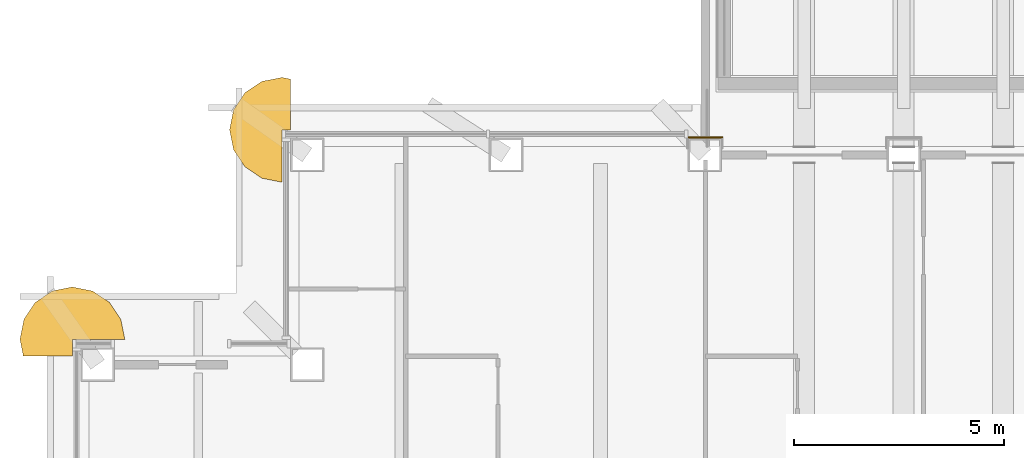
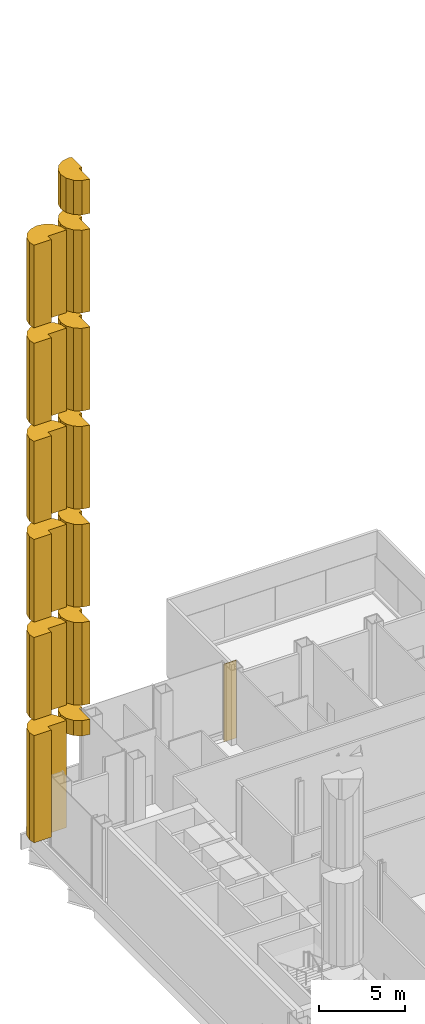
# One storey, part 19 of 22: 14 coverings.
"""IFC4 building model written with IfcOpenShell, lengths in metres."""

from ifc_helpers import new_model, si_unit, direction, frame, origin, origin_2d, place, context, subcontext, project, spatial, polyline, rectangle, outline, extrude, material, layer, layer_set, type_object, element, save


model = new_model("IFC4")

# Units and contexts
model_context = context("Model", 3, precision=1e-05, world=origin(), true_north=direction((0.0, 1.0)))
body_context = subcontext(model_context, "Body", "Model", "MODEL_VIEW")
ifc_project = project(units=[si_unit("LENGTHUNIT", "METRE"), si_unit("AREAUNIT", "SQUARE_METRE"), si_unit("VOLUMEUNIT", "CUBIC_METRE"), si_unit("PLANEANGLEUNIT", "RADIAN"), si_unit("MASSUNIT", "GRAM", prefix="KILO")], contexts=[model_context])

# Site, building, storey
site_placement = place(None, origin())
site = spatial("IfcSite", under=ifc_project, at=site_placement, CompositionType="ELEMENT")
building_placement = place(site_placement, origin())
building = spatial("IfcBuilding", under=site, at=building_placement, Name="Cobrizo Arcos Hotel Tower", CompositionType="ELEMENT")
storey_placement = place(building_placement, frame((0.0, 0.0, 142.5)))
storey = spatial("IfcBuildingStorey", under=building, at=storey_placement, Name="L36", CompositionType="ELEMENT", Elevation=142.5)

# Coverings
ifc_material = material(Name="Aluminium 6063-T6 anodised pale", Category="aluminium")
ifc_layer = layer(ifc_material, 0.030029296875)
ifc_layer_set = layer_set([ifc_layer], Name="PC-1 column casing pale metal 30")
covering_type_1 = type_object("IfcCoveringType", Name="PC-1 column casing pale metal 30", PredefinedType="CLADDING", material=ifc_layer_set)
covering_1_placement = place(storey_placement, frame((-7.114013671875, 22.014892578125, -0.2001953125), z_axis=(0.0, 0.0, 1.0), x_axis=(1.0, 0.0, 0.0)))
element("IfcCovering", 1, at=covering_1_placement, inside=storey, type_object=covering_type_1, Name="Pool hall column casing 1", PredefinedType="CLADDING", context=body_context, shape_type="SweptSolid", body=[
    extrude(rectangle(XDim=0.860107421875, YDim=0.030029296875, at=origin_2d()), origin(), (0.0, 0.0, 1.0), 5.550048828125),
])
covering_type_2 = type_object("IfcCoveringType", Name="RB-2 notch bullnose roll R1250", PredefinedType="CLADDING", material=ifc_material)
covering_2_placement = place(storey_placement, frame((0.0, 0.0, 4.362548828125)))
element("IfcCovering", 2, at=covering_2_placement, inside=storey, type_object=covering_type_2, Name="Notch bullnose roll 18", PredefinedType="CLADDING", context=body_context, shape_type="SweptSolid", body=[
    extrude(outline(polyline([(-18.083984375, 21.316162109375), (-17.678466796875, 21.045166015625), (-17.199951171875, 20.949951171875), (-17.199951171875, 22.199951171875), (-17.0, 22.199951171875), (-17.0, 23.41015625), (-17.199951171875, 23.449951171875), (-17.678466796875, 23.354736328125), (-18.083984375, 23.083984375), (-18.354736328125, 22.678466796875), (-18.449951171875, 22.199951171875), (-18.354736328125, 21.7216796875), (-18.083984375, 21.316162109375)])), origin(), (0.0, 0.0, 1.0), 1.08740234375),
])
for number, where, name in (
    (3, (0.0, 0.0, 6.550048828125), "Notch bullnose roll 18 part 2"),
    (4, (0.0, 0.0, 13.550048828125), "Notch bullnose roll 18 part 3"),
    (5, (0.0, 0.0, 20.550048828125), "Notch bullnose roll 18 part 4"),
    (6, (0.0, 0.0, 27.550048828125), "Notch bullnose roll 18 part 5"),
    (7, (0.0, 0.0, 34.550048828125), "Notch bullnose roll 18 part 6"),
):
    element("IfcCovering", number, at=place(storey_placement, frame(where)), inside=storey, type_object=covering_type_2, Name=name, PredefinedType="CLADDING", context=body_context, shape_type="SweptSolid", body=[
        extrude(outline(polyline([(-18.083984375, 21.316162109375), (-17.678466796875, 21.045166015625), (-17.199951171875, 20.949951171875), (-17.199951171875, 22.199951171875), (-17.0, 22.199951171875), (-17.0, 23.41015625), (-17.199951171875, 23.449951171875), (-17.678466796875, 23.354736328125), (-18.083984375, 23.083984375), (-18.354736328125, 22.678466796875), (-18.449951171875, 22.199951171875), (-18.354736328125, 21.7216796875), (-18.083984375, 21.316162109375)])), origin(), (0.0, 0.0, 1.0), 5.89990234375),
    ])
covering_3_placement = place(storey_placement, frame((0.0, 0.0, 41.550048828125)))
element("IfcCovering", 8, at=covering_3_placement, inside=storey, type_object=covering_type_2, Name="Notch bullnose roll 18 part 7", PredefinedType="CLADDING", context=body_context, shape_type="SweptSolid", body=[
    extrude(outline(polyline([(-18.083984375, 21.316162109375), (-17.678466796875, 21.045166015625), (-17.199951171875, 20.949951171875), (-17.199951171875, 22.199951171875), (-17.0, 22.199951171875), (-17.0, 23.41015625), (-17.199951171875, 23.449951171875), (-17.678466796875, 23.354736328125), (-18.083984375, 23.083984375), (-18.354736328125, 22.678466796875), (-18.449951171875, 22.199951171875), (-18.354736328125, 21.7216796875), (-18.083984375, 21.316162109375)])), origin(), (0.0, 0.0, 1.0), 2.449951171875),
])
covering_4_placement = place(storey_placement, frame((0.0, 0.0, 1.300048828125)))
element("IfcCovering", 9, at=covering_4_placement, inside=storey, type_object=covering_type_2, Name="Notch bullnose roll 23", PredefinedType="CLADDING", context=body_context, shape_type="SweptSolid", body=[
    extrude(outline(polyline([(-21.316162109375, 18.083984375), (-21.7216796875, 18.354736328125), (-22.199951171875, 18.449951171875), (-22.678466796875, 18.354736328125), (-23.083984375, 18.083984375), (-23.354736328125, 17.678466796875), (-23.449951171875, 17.199951171875), (-23.370361328125, 16.800048828125), (-22.199951171875, 16.800048828125), (-22.199951171875, 17.199951171875), (-20.949951171875, 17.199951171875), (-21.045166015625, 17.678466796875), (-21.316162109375, 18.083984375)])), origin(), (0.0, 0.0, 1.0), 7.64990234375),
])
for number, where, name in (
    (10, (0.0, 0.0, 10.050048828125), "Notch bullnose roll 23 part 2"),
    (11, (0.0, 0.0, 17.050048828125), "Notch bullnose roll 23 part 3"),
    (12, (0.0, 0.0, 24.050048828125), "Notch bullnose roll 23 part 4"),
    (13, (0.0, 0.0, 31.050048828125), "Notch bullnose roll 23 part 5"),
    (14, (0.0, 0.0, 38.050048828125), "Notch bullnose roll 23 part 6"),
):
    element("IfcCovering", number, at=place(storey_placement, frame(where)), inside=storey, type_object=covering_type_2, Name=name, PredefinedType="CLADDING", context=body_context, shape_type="SweptSolid", body=[
        extrude(outline(polyline([(-21.316162109375, 18.083984375), (-21.7216796875, 18.354736328125), (-22.199951171875, 18.449951171875), (-22.678466796875, 18.354736328125), (-23.083984375, 18.083984375), (-23.354736328125, 17.678466796875), (-23.449951171875, 17.199951171875), (-23.370361328125, 16.800048828125), (-22.199951171875, 16.800048828125), (-22.199951171875, 17.199951171875), (-20.949951171875, 17.199951171875), (-21.045166015625, 17.678466796875), (-21.316162109375, 18.083984375)])), origin(), (0.0, 0.0, 1.0), 5.89990234375),
    ])

save(model, "model.ifc")
